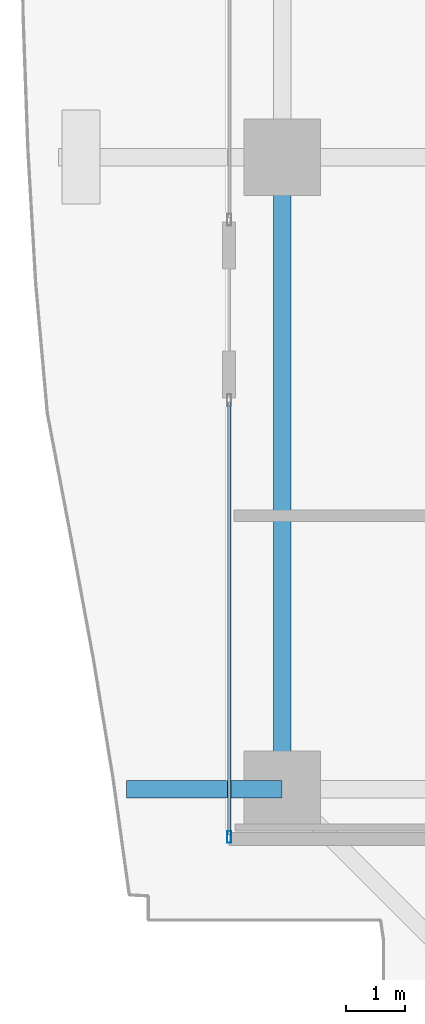
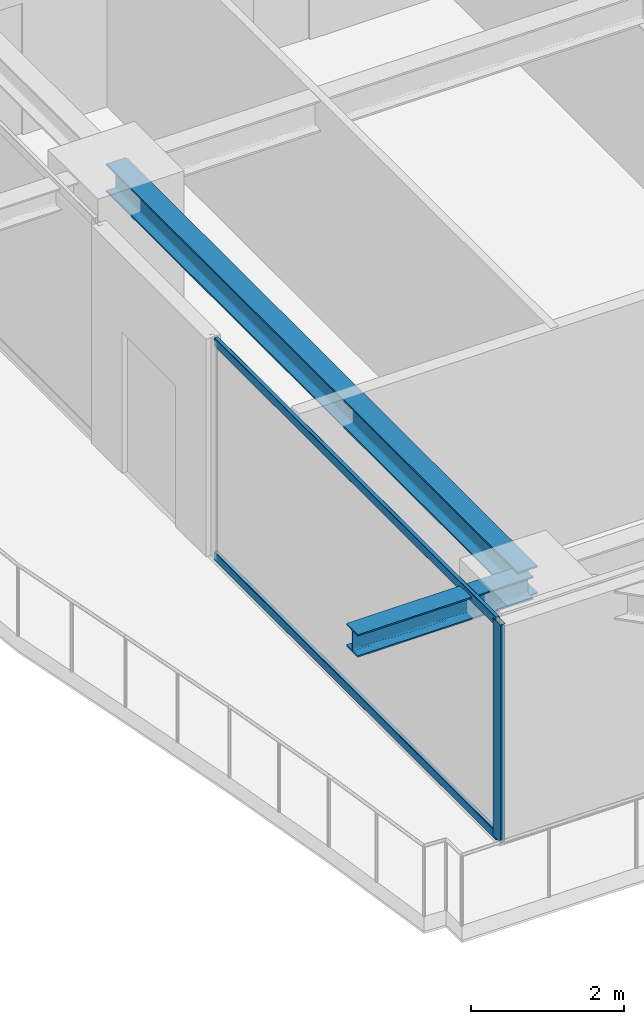
# One storey, part 3 of 37: 3 members, 2 beams, 1 element without a shape of its own.
"""IFC4 building model written with IfcOpenShell, lengths in metres."""

from ifc_helpers import new_model, si_unit, direction, frame, origin, origin_2d, place, context, subcontext, project, spatial, hollow_rectangle, i_section, extrude, source, transform, mapped, material, layer, layer_set, material_profile, profile_set, type_object, element, aggregate, save


model = new_model("IFC4")

# Units and contexts
model_context = context("Model", 3, precision=1e-05, world=origin(), true_north=direction((0.0, 1.0)))
body_context = subcontext(model_context, "Body", "Model", "MODEL_VIEW")
ifc_project = project(units=[si_unit("LENGTHUNIT", "METRE"), si_unit("AREAUNIT", "SQUARE_METRE"), si_unit("VOLUMEUNIT", "CUBIC_METRE"), si_unit("PLANEANGLEUNIT", "RADIAN"), si_unit("MASSUNIT", "GRAM", prefix="KILO")], contexts=[model_context])

# Site, building, storey
site_placement = place(None, origin())
site = spatial("IfcSite", under=ifc_project, at=site_placement, CompositionType="ELEMENT")
building_placement = place(site_placement, origin())
building = spatial("IfcBuilding", under=site, at=building_placement, Name="Serunith Strait Residences", CompositionType="ELEMENT")
storey_placement = place(building_placement, frame((0.0, 0.0, 138.89990234375)))
storey = spatial("IfcBuildingStorey", under=building, at=storey_placement, Name="L34", CompositionType="ELEMENT", Elevation=138.89990234375)

# Beams
ifc_material_1 = material(Name="Steel S355J2", Category="steel")
ifc_material_profile_1 = material_profile(ifc_material_1, i_section(OverallWidth=0.300048828125, OverallDepth=0.449951171875, WebThickness=0.013916015625, FlangeThickness=0.02587890625, FilletRadius=0.027099609375, at=origin_2d()), Name="HEB 450")
ifc_profile_set_1 = profile_set([ifc_material_profile_1], Name="Steel S355J2")
beam_type_1 = type_object("IfcBeamType", Name="BM-HEB450", PredefinedType="BEAM", material=ifc_profile_set_1)
shared_shape_1 = source(origin(), body_context, "Body", "SweptSolid", [
    extrude(i_section(OverallWidth=0.300048828125, OverallDepth=0.449951171875, WebThickness=0.013916015625, FlangeThickness=0.02587890625, FilletRadius=0.027099609375, at=origin_2d()), origin(), (0.0, 0.0, 1.0), 10.75),
])
beam_1_placement = place(storey_placement, frame((8.699951171875, 21.0, 3.26220703125), z_axis=(0.0, -1.0, 0.0), x_axis=(1.0, 0.0, 0.0)))
element("IfcBeam", 1, at=beam_1_placement, inside=storey, type_object=beam_type_1, Name="L34 Perimeter Ring Beam 15", PredefinedType="BEAM", context=body_context, shape_type="MappedRepresentation", body=[
    mapped(shared_shape_1, transform((0.0, 0.0, 0.0), scale=1.0)),
])
ifc_material_profile_2 = material_profile(ifc_material_1, i_section(OverallWidth=0.300048828125, OverallDepth=0.360107421875, WebThickness=0.012451171875, FlangeThickness=0.0224609375, FilletRadius=0.027099609375, at=origin_2d()), Name="HEB 360")
ifc_profile_set_2 = profile_set([ifc_material_profile_2], Name="Steel S355J2")
beam_type_2 = type_object("IfcBeamType", Name="BM-HEB360", PredefinedType="BEAM", material=ifc_profile_set_2)
shared_shape_2 = source(origin(), body_context, "Body", "SweptSolid", [
    extrude(i_section(OverallWidth=0.300048828125, OverallDepth=0.360107421875, WebThickness=0.012451171875, FlangeThickness=0.0224609375, FilletRadius=0.027099609375, at=origin_2d()), origin(), (0.0, 0.0, 1.0), 2.647216796875),
])
beam_2_placement = place(storey_placement, frame((8.699951171875, 10.25, 3.277099609375), z_axis=(-1.0, 0.0, 0.0), x_axis=(0.0, -1.0, 0.0)))
element("IfcBeam", 2, at=beam_2_placement, inside=storey, type_object=beam_type_2, Name="L35 Cantilevered Balcony Rib TC-W1", PredefinedType="BEAM", context=body_context, shape_type="MappedRepresentation", body=[
    mapped(shared_shape_2, transform((0.0, 0.0, 0.0), scale=1.0)),
])

# Curtain wall, members
ifc_material_2 = material(Name="Pale-Champagne Anodised Aluminium", Category="aluminium")
ifc_layer = layer(ifc_material_2, 0.199951171875, Name="Pale-Champagne Anodised Aluminium")
ifc_layer_set = layer_set([ifc_layer], Name="Pale-Champagne Anodised Aluminium")
curtain_wall_type = type_object("IfcCurtainWallType", Name="CW-SYS2", PredefinedType="NOTDEFINED", material=ifc_layer_set)
curtain_wall_placement = place(storey_placement, origin())
curtain_wall = element("IfcCurtainWall", 3, at=curtain_wall_placement, inside=storey, type_object=curtain_wall_type, Name="L34 W Unitised Fritted Curtain Wall", PredefinedType="NOTDEFINED")
ifc_material_profile_3 = material_profile(ifc_material_2, hollow_rectangle(XDim=0.070068359375, YDim=0.199951171875, WallThickness=0.00390625, InnerFilletRadius=0.006103515625, OuterFilletRadius=0.010009765625, at=origin_2d()), Name="ALU 200x70x4")
ifc_profile_set_3 = profile_set([ifc_material_profile_3], Name="Pale-Champagne Anodised Aluminium")
member_type_1 = type_object("IfcMemberType", Name="CW-SYS2-MULL", PredefinedType="MULLION", material=ifc_profile_set_3)
shared_shape_3 = source(origin(), body_context, "Body", "SweptSolid", [
    extrude(hollow_rectangle(XDim=0.070068359375, YDim=0.199951171875, WallThickness=0.00390625, InnerFilletRadius=0.006103515625, OuterFilletRadius=0.010009765625, at=origin_2d()), origin(), (0.0, 0.0, 1.0), 3.47509765625),
])
member_1_placement = place(storey_placement, frame((7.800048828125, 9.43505859375, 0.0), z_axis=(0.0, 0.0, 1.0), x_axis=(1.0, 0.0, 0.0)))
member_1 = element("IfcMember", 4, at=member_1_placement, type_object=member_type_1, Name="CW-2 mullion 2", PredefinedType="MULLION", context=body_context, shape_type="MappedRepresentation", body=[
    mapped(shared_shape_3, transform((0.0, 0.0, 0.0), scale=1.0)),
])
ifc_material_profile_4 = material_profile(ifc_material_2, hollow_rectangle(XDim=0.06005859375, YDim=0.139892578125, WallThickness=0.00341796875, InnerFilletRadius=0.00537109375, OuterFilletRadius=0.0087890625, at=origin_2d()), Name="ALU 140x60x3.5")
ifc_profile_set_4 = profile_set([ifc_material_profile_4], Name="Pale-Champagne Anodised Aluminium")
member_type_2 = type_object("IfcMemberType", Name="CW-SYS2-TRAN", PredefinedType="USERDEFINED", material=ifc_profile_set_4)
shared_shape_4 = source(origin(), body_context, "Body", "SweptSolid", [
    extrude(hollow_rectangle(XDim=0.06005859375, YDim=0.139892578125, WallThickness=0.00341796875, InnerFilletRadius=0.00537109375, OuterFilletRadius=0.0087890625, at=origin_2d()), origin(), (0.0, 0.0, 1.0), 7.360107421875),
])
member_2_placement = place(storey_placement, frame((7.800048828125, 16.830078125, 0.030029296875), z_axis=(0.0, -1.0, 0.0), x_axis=(1.0, 0.0, 0.0)))
member_2 = element("IfcMember", 5, at=member_2_placement, type_object=member_type_2, Name="CW-2 transom 1.1", ObjectType="TRANSOM", PredefinedType="USERDEFINED", context=body_context, shape_type="MappedRepresentation", body=[
    mapped(shared_shape_4, transform((0.0, 0.0, 0.0), scale=1.0)),
])
member_3_placement = place(storey_placement, frame((7.800048828125, 16.830078125, 3.445068359375), z_axis=(0.0, -1.0, 0.0), x_axis=(1.0, 0.0, 0.0)))
member_3 = element("IfcMember", 6, at=member_3_placement, type_object=member_type_2, Name="CW-2 transom 1.2", ObjectType="TRANSOM", PredefinedType="USERDEFINED", context=body_context, shape_type="MappedRepresentation", body=[
    mapped(shared_shape_4, transform((0.0, 0.0, 0.0), scale=1.0)),
])
aggregate(curtain_wall, [member_1, member_2, member_3])

save(model, "model.ifc")
